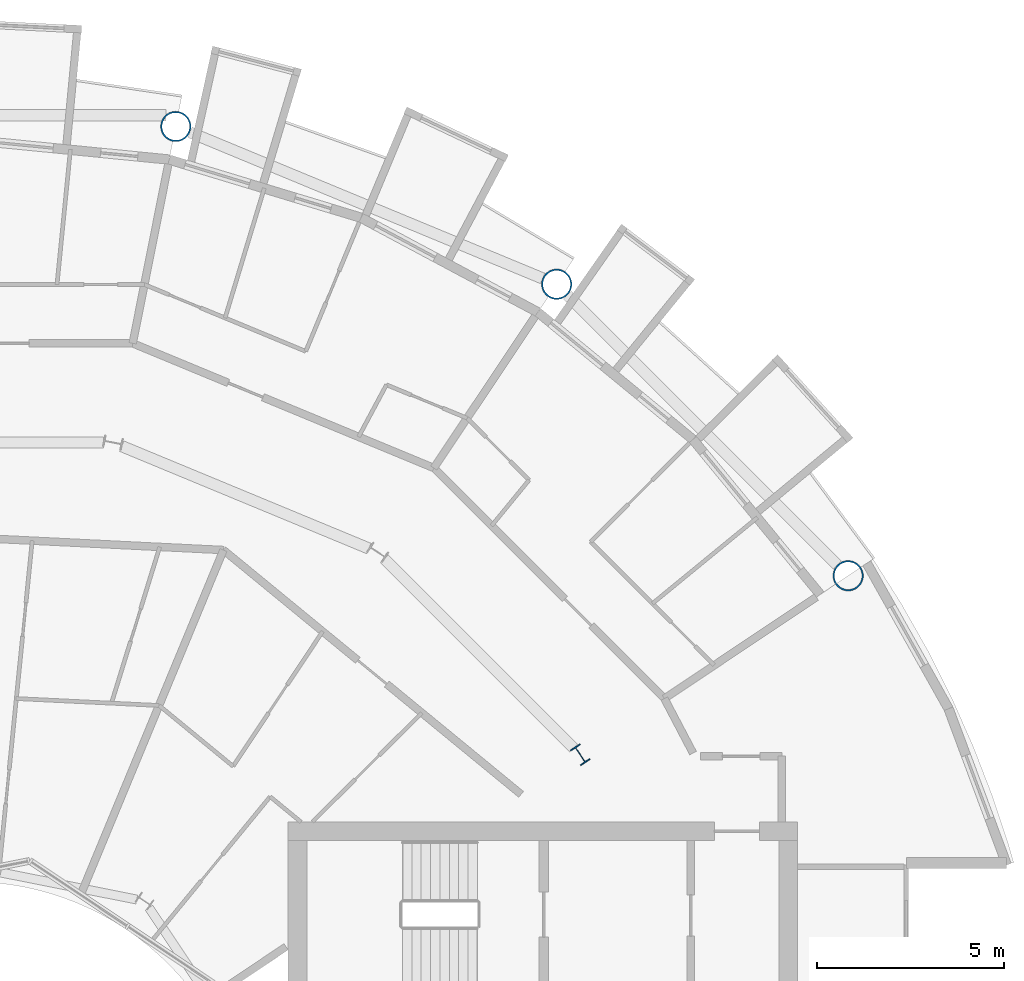
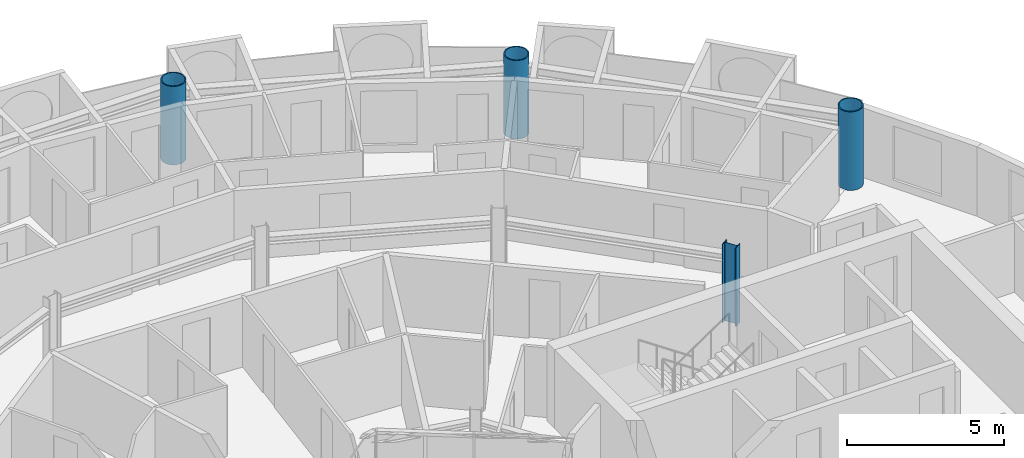
# One storey, part 4 of 27: 4 columns.
"""IFC4 building model written with IfcOpenShell, lengths in metres."""

from ifc_helpers import new_model, si_unit, direction, frame, origin, origin_2d, place, context, subcontext, project, spatial, hollow_circle, i_section, extrude, material, material_profile, profile_set, type_object, element, save


model = new_model("IFC4")

# Units and contexts
model_context = context("Model", 3, precision=1e-05, world=origin(), true_north=direction((0.0, 1.0)))
body_context = subcontext(model_context, "Body", "Model", "MODEL_VIEW")
ifc_project = project(units=[si_unit("LENGTHUNIT", "METRE"), si_unit("AREAUNIT", "SQUARE_METRE"), si_unit("VOLUMEUNIT", "CUBIC_METRE"), si_unit("PLANEANGLEUNIT", "RADIAN"), si_unit("MASSUNIT", "GRAM", prefix="KILO")], contexts=[model_context])

# Site, building, storey
site_placement = place(None, origin())
site = spatial("IfcSite", under=ifc_project, at=site_placement, CompositionType="ELEMENT")
building_placement = place(site_placement, origin())
building = spatial("IfcBuilding", under=site, at=building_placement, Name="Maasbend Ring Residences", CompositionType="ELEMENT")
storey_placement = place(building_placement, frame((0.0, 0.0, 170.75)))
storey = spatial("IfcBuildingStorey", under=building, at=storey_placement, Name="L49", CompositionType="ELEMENT", Elevation=170.75)

# Columns
ifc_material_1 = material(Name="Composite concrete-filled steel tube S460NH / C80/95", Category="concrete")
ifc_material_profile_1 = material_profile(ifc_material_1, hollow_circle(Radius=0.406494140625, WallThickness=0.0400390625, at=origin_2d()), Name="Composite tube column CHS 813x40")
ifc_profile_set_1 = profile_set([ifc_material_profile_1], Name="Composite concrete-filled steel tube S460NH / C80/95")
column_type_1 = type_object("IfcColumnType", Name="Composite tube column CHS 813x40", PredefinedType="COLUMN", material=ifc_profile_set_1)
for number, where, z_axis, x_axis, name in (
    (1, (23.447509765625, 15.6669921875, 0.0), (0.0, 0.0, 1.0), (1.0, 0.0, 0.0), "Outer column R2"),
    (2, (15.6669921875, 23.447509765625, 0.0), (0.0, 0.0, 1.0), (1.0, 0.0, 0.0), "Outer column R3"),
    (3, (5.50146484375, 27.658203125, 0.0), (0.0, 0.0, 1.0), (1.0, 0.0, 0.0), "Outer column R4"),
):
    element("IfcColumn", number, at=place(storey_placement, frame(where, z_axis=z_axis, x_axis=x_axis)), inside=storey, type_object=column_type_1, Name=name, PredefinedType="COLUMN", context=body_context, shape_type="SweptSolid", body=[
        extrude(hollow_circle(Radius=0.406494140625, WallThickness=0.0400390625, at=origin_2d()), origin(), (0.0, 0.0, 1.0), 3.050048828125),
    ])
ifc_material_2 = material(Name="Steel S355J2", Category="steel")
ifc_material_profile_2 = material_profile(ifc_material_2, i_section(OverallWidth=0.300048828125, OverallDepth=0.5, WebThickness=0.014404296875, FlangeThickness=0.028076171875, FilletRadius=0.027099609375, at=origin_2d()), Name="HEB 500")
ifc_profile_set_2 = profile_set([ifc_material_profile_2], Name="Steel S355J2")
column_type_2 = type_object("IfcColumnType", Name="Steel column HEB 500", PredefinedType="COLUMN", material=ifc_profile_set_2)
column_placement = place(storey_placement, frame((16.296875, 10.88916015625, 0.0), z_axis=(0.0, 0.0, 1.0), x_axis=(0.831469612303, 0.55557023302, 0.0)))
element("IfcColumn", 4, at=column_placement, inside=storey, type_object=column_type_2, Name="Corridor ring column R2", PredefinedType="COLUMN", context=body_context, shape_type="SweptSolid", body=[
    extrude(i_section(OverallWidth=0.300048828125, OverallDepth=0.5, WebThickness=0.014404296875, FlangeThickness=0.028076171875, FilletRadius=0.027099609375, at=origin_2d()), origin(), (0.0, 0.0, 1.0), 3.050048828125),
])

save(model, "model.ifc")
